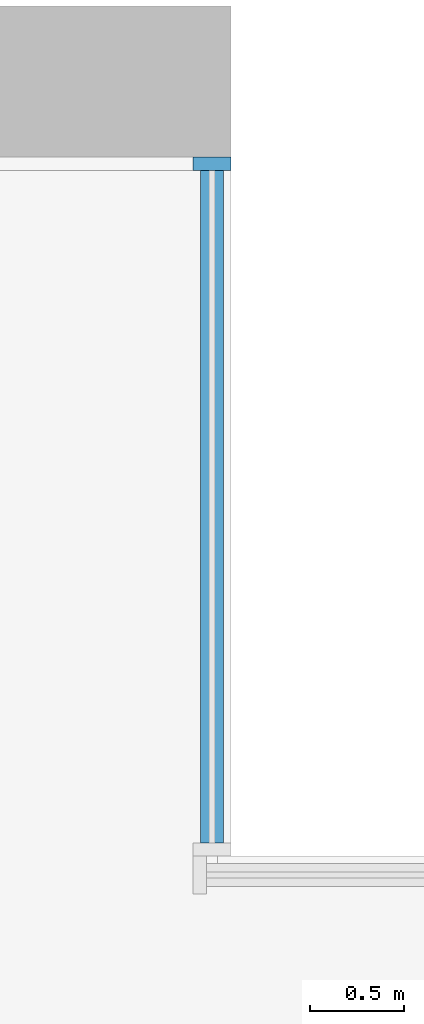
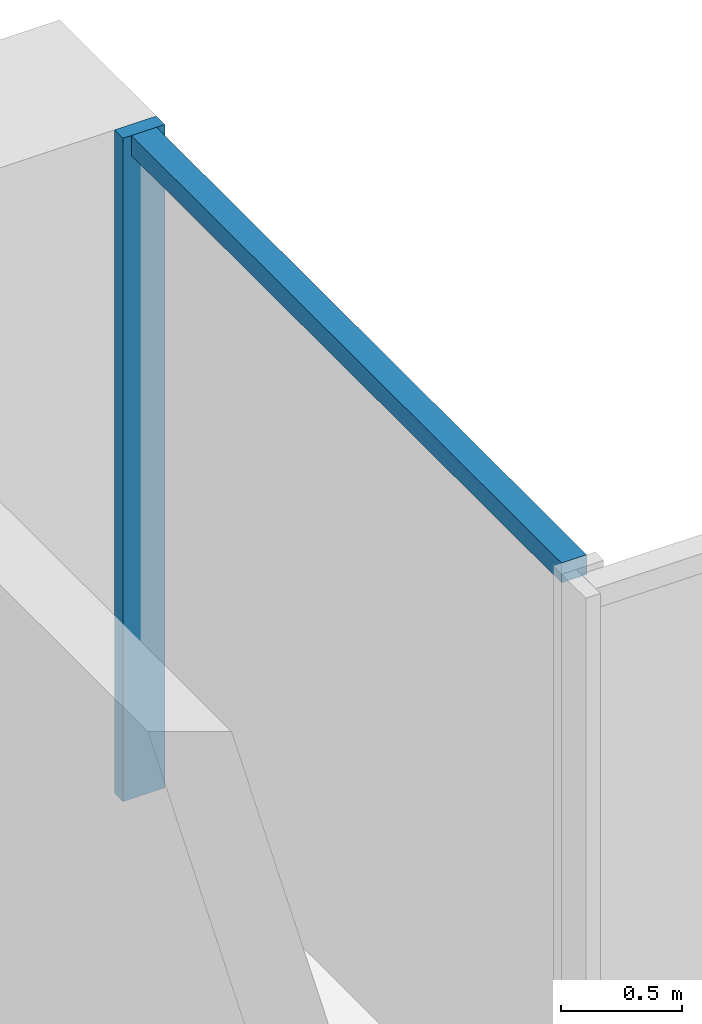
# One storey, part 6 of 15: 2 members, 1 element without a shape of its own.
"""IFC4 building model written with IfcOpenShell, lengths in metres."""

from ifc_helpers import new_model, si_unit, direction, frame, origin, origin_2d, place, context, subcontext, project, spatial, rectangle, extrude, material, material_profile, profile_set, type_object, element, aggregate, save


model = new_model("IFC4")

# Units and contexts
model_context = context("Model", 3, precision=1e-05, world=origin(), true_north=direction((0.0, 1.0)))
body_context = subcontext(model_context, "Body", "Model", "MODEL_VIEW")
ifc_project = project(units=[si_unit("LENGTHUNIT", "METRE"), si_unit("AREAUNIT", "SQUARE_METRE"), si_unit("VOLUMEUNIT", "CUBIC_METRE"), si_unit("PLANEANGLEUNIT", "RADIAN"), si_unit("MASSUNIT", "GRAM", prefix="KILO")], contexts=[model_context])

# Site, building, storey
site_placement = place(None, origin())
site = spatial("IfcSite", under=ifc_project, at=site_placement, CompositionType="ELEMENT")
building_placement = place(site_placement, origin())
building = spatial("IfcBuilding", under=site, at=building_placement, Name="Calvaro Tower", CompositionType="ELEMENT")
storey_placement = place(building_placement, frame((0.0, 0.0, 143.75)))
storey = spatial("IfcBuildingStorey", under=building, at=storey_placement, Name="L36", CompositionType="ELEMENT", Elevation=143.75)

# Curtain wall, members
ifc_material_1 = material(Name="Anodised aluminium", Category="aluminium")
curtain_wall_type = type_object("IfcCurtainWallType", Name="Office curtain wall, middle zone", PredefinedType="NOTDEFINED", material=ifc_material_1)
curtain_wall_placement = place(storey_placement, origin())
curtain_wall = element("IfcCurtainWall", 1, at=curtain_wall_placement, inside=storey, type_object=curtain_wall_type, Name="CW2 corner curtain wall", PredefinedType="NOTDEFINED")
ifc_material_2 = material(Name="Anodised aluminium", Category="aluminium")
ifc_material_profile_1 = material_profile(ifc_material_2, rectangle(XDim=0.199951171875, YDim=0.070068359375, at=origin_2d()), Name="Mullion S2 70 x 200")
ifc_profile_set_1 = profile_set([ifc_material_profile_1], Name="Anodised aluminium")
member_type_1 = type_object("IfcMemberType", Name="Mullion S2 70 x 200", PredefinedType="MULLION", material=ifc_profile_set_1)
member_1_placement = place(storey_placement, frame((66.35009765625, 45.1650390625, 0.0), z_axis=(0.0, 0.0, 1.0), x_axis=(-1.0, 0.0, 0.0)))
member_1 = element("IfcMember", 2, at=member_1_placement, type_object=member_type_1, Name="CW2 mullion 2", PredefinedType="MULLION", context=body_context, shape_type="SweptSolid", body=[
    extrude(rectangle(XDim=0.199951171875, YDim=0.070068359375, at=origin_2d()), origin(), (0.0, 0.0, 1.0), 3.35009765625),
])
ifc_material_3 = material(Name="Anodised aluminium", Category="aluminium")
ifc_material_profile_2 = material_profile(ifc_material_3, rectangle(XDim=0.1201171875, YDim=0.10009765625, at=origin_2d()), Name="Transom S2 100 x 120")
ifc_profile_set_2 = profile_set([ifc_material_profile_2], Name="Anodised aluminium")
member_type_2 = type_object("IfcMemberType", Name="Transom S2 100 x 120", PredefinedType="USERDEFINED", material=ifc_profile_set_2)
member_2_placement = place(storey_placement, frame((66.35009765625, 41.570068359375, 3.300048828125), z_axis=(0.0, 1.0, 0.0), x_axis=(-1.0, 0.0, 0.0)))
member_2 = element("IfcMember", 3, at=member_2_placement, type_object=member_type_2, Name="CW2 transom 1.1", ObjectType="TRANSOM", PredefinedType="USERDEFINED", context=body_context, shape_type="SweptSolid", body=[
    extrude(rectangle(XDim=0.1201171875, YDim=0.10009765625, at=origin_2d()), origin(), (0.0, 0.0, 1.0), 3.559814453125),
])
aggregate(curtain_wall, [member_1, member_2])

save(model, "model.ifc")
